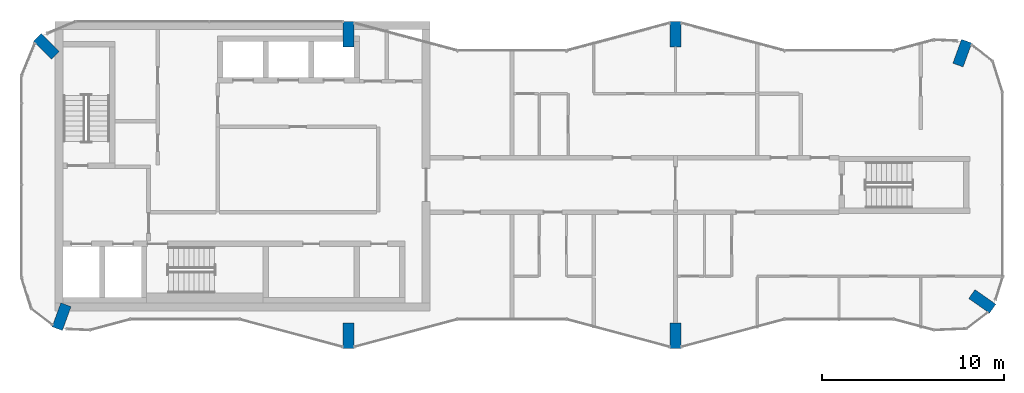
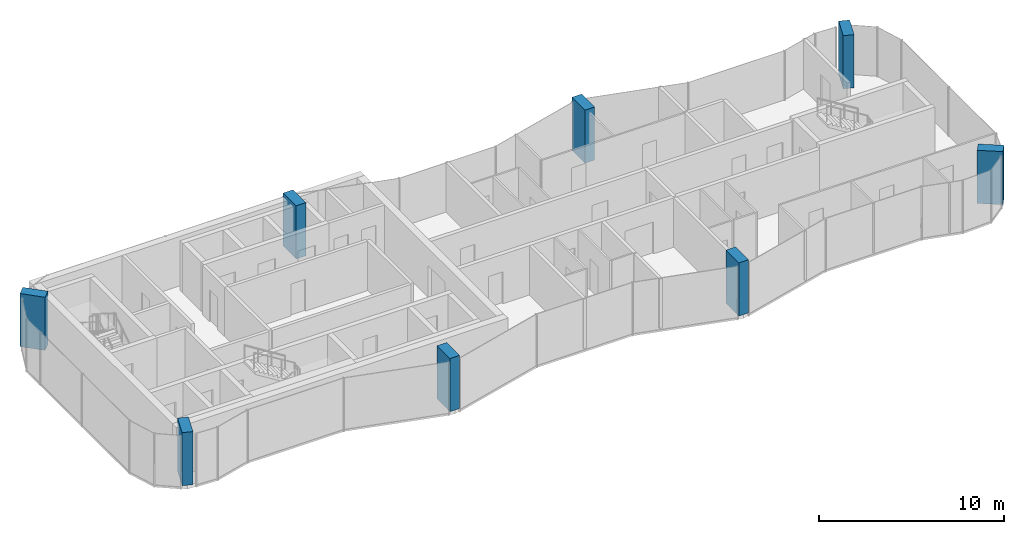
# One storey, part 1 of 10: 8 columns.
"""IFC4 building model written with IfcOpenShell, lengths in metres."""

from ifc_helpers import new_model, si_unit, direction, frame, origin, origin_2d, place, context, subcontext, project, spatial, rectangle, extrude, material, material_profile, profile_set, type_object, element, save


model = new_model("IFC4")

# Units and contexts
model_context = context("Model", 3, precision=1e-05, world=origin(), true_north=direction((0.0, 1.0)))
body_context = subcontext(model_context, "Body", "Model", "MODEL_VIEW")
ifc_project = project(units=[si_unit("LENGTHUNIT", "METRE"), si_unit("AREAUNIT", "SQUARE_METRE"), si_unit("VOLUMEUNIT", "CUBIC_METRE"), si_unit("PLANEANGLEUNIT", "RADIAN"), si_unit("MASSUNIT", "GRAM", prefix="KILO")], contexts=[model_context])

# Site, building, storey
site_placement = place(None, origin())
site = spatial("IfcSite", under=ifc_project, at=site_placement, CompositionType="ELEMENT")
building_placement = place(site_placement, origin())
building = spatial("IfcBuilding", under=site, at=building_placement, Name="Plateau Cross Towers", CompositionType="ELEMENT")
storey_placement = place(building_placement, frame((0.0, 0.0, 273.89990234375)))
storey = spatial("IfcBuildingStorey", under=building, at=storey_placement, Name="L72", CompositionType="ELEMENT", Elevation=273.89990234375)

# Columns
ifc_material = material(Name="Concrete C60/75", Category="concrete")
ifc_material_profile = material_profile(ifc_material, rectangle(XDim=0.60009765625, YDim=1.39990234375, at=origin_2d()), Name="RC 600x1400")
ifc_profile_set = profile_set([ifc_material_profile], Name="Concrete C60/75")
column_type = type_object("IfcColumnType", Name="Fin pier column RC 600x1400", PredefinedType="COLUMN", material=ifc_profile_set)
for number, where, z_axis, x_axis, name in (
    (1, (18.0, 0.699951171875, 0.0), (0.0, 0.0, 1.0), (1.0, 0.0, 0.0), "PR1 L72"),
    (2, (36.0, 0.699951171875, 0.0), (0.0, 0.0, 1.0), (1.0, 0.0, 0.0), "PR2 L72"),
    (3, (52.884033203125, 2.590087890625, 0.0), (0.0, 0.0, 1.0), (0.573542637991, 0.819175709117, 0.0), "PR3 L72"),
    (4, (51.786865234375, 16.251953125, 0.0), (0.0, 0.0, 1.0), (-0.939664280925, 0.342097996418, 0.0), "PR4 L72"),
    (5, (36.0, 17.300048828125, 0.0), (0.0, 0.0, 1.0), (1.0, 0.0, 0.0), "PR5 L72"),
    (6, (18.0, 17.300048828125, 0.0), (0.0, 0.0, 1.0), (1.0, 0.0, 0.0), "PR13 L72"),
    (7, (1.37353515625, 16.62646484375, 0.0), (0.0, 0.0, 1.0), (0.707106781187, 0.707106781187, 0.0), "PR14 L72"),
    (8, (2.213134765625, 1.748046875, 0.0), (0.0, 0.0, 1.0), (-0.939664280925, 0.342097996418, 0.0), "PR12 L72"),
):
    element("IfcColumn", number, at=place(storey_placement, frame(where, z_axis=z_axis, x_axis=x_axis)), inside=storey, type_object=column_type, Name=name, PredefinedType="COLUMN", context=body_context, shape_type="SweptSolid", body=[
        extrude(rectangle(XDim=0.60009765625, YDim=1.39990234375, at=origin_2d()), origin(), (0.0, 0.0, 1.0), 3.5),
    ])

save(model, "model.ifc")
